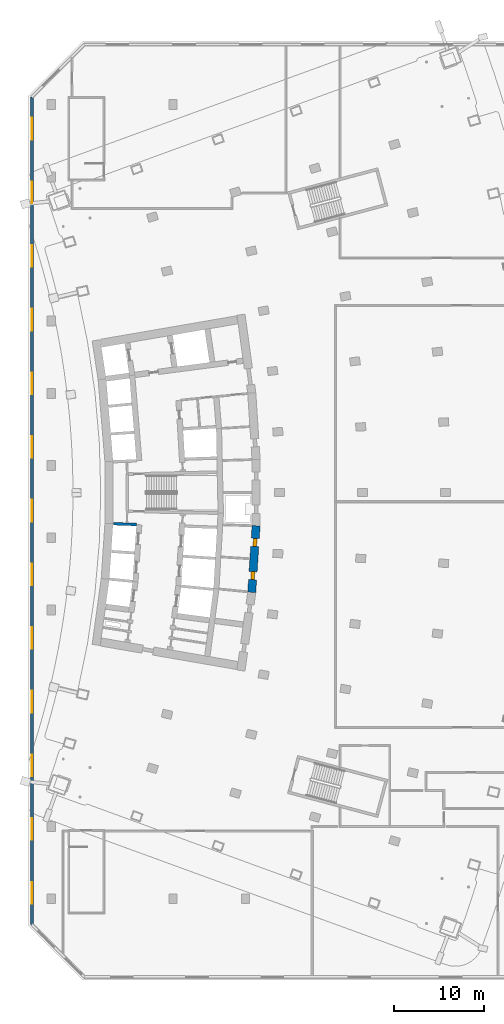
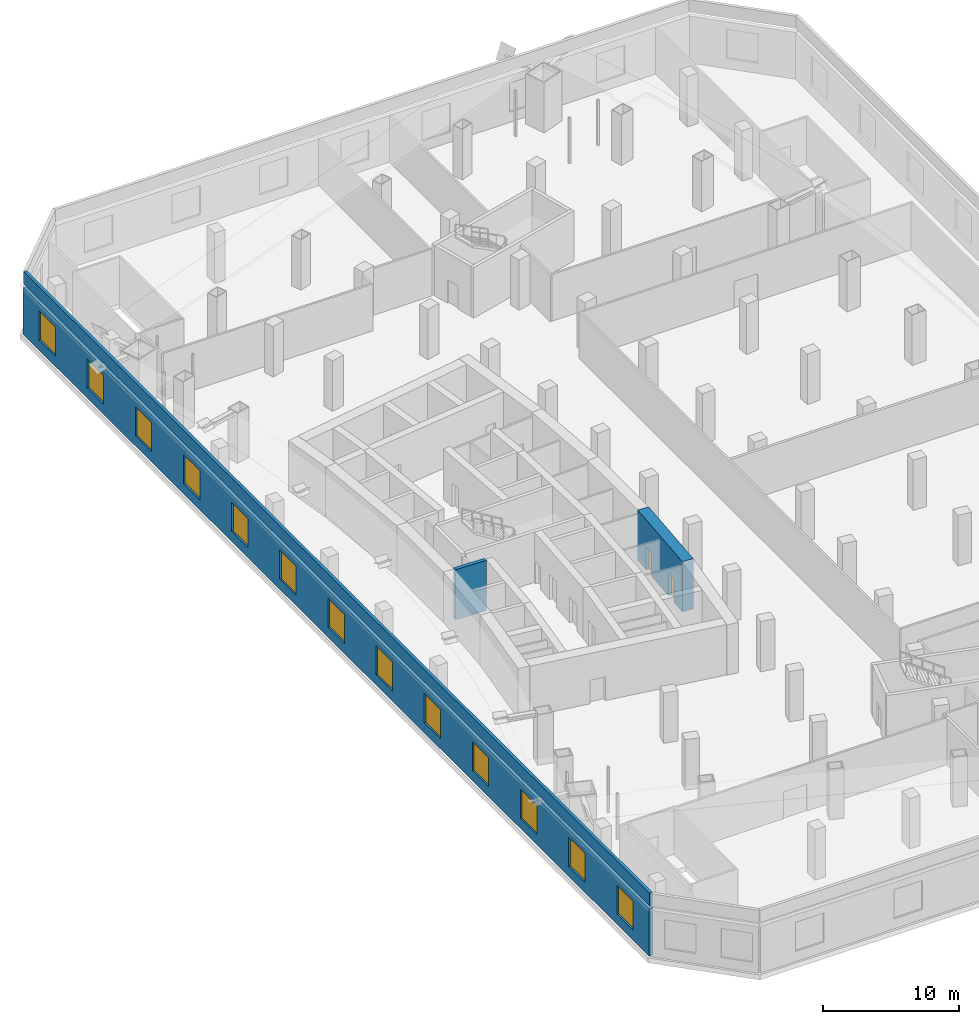
# One storey, part 14 of 19: 13 windows, 4 walls, 2 doors, 15 openings.
"""IFC4 building model written with IfcOpenShell, lengths in metres."""

from ifc_helpers import new_model, si_unit, direction, frame, frame_2d, origin, place, context, subcontext, project, spatial, rectangle, extrude, material, layer, layer_set, type_object, element, fill, save


model = new_model("IFC4")

# Units and contexts
model_context = context("Model", 3, precision=1e-05, world=origin(), true_north=direction((0.0, 1.0)))
body_context = subcontext(model_context, "Body", "Model", "MODEL_VIEW")
ifc_project = project(units=[si_unit("LENGTHUNIT", "METRE"), si_unit("AREAUNIT", "SQUARE_METRE"), si_unit("VOLUMEUNIT", "CUBIC_METRE"), si_unit("PLANEANGLEUNIT", "RADIAN"), si_unit("MASSUNIT", "GRAM", prefix="KILO")], contexts=[model_context])

# Site, building, storey
site_placement = place(None, origin())
site = spatial("IfcSite", under=ifc_project, at=site_placement, CompositionType="ELEMENT")
building_placement = place(site_placement, origin())
building = spatial("IfcBuilding", under=site, at=building_placement, Name="Alderwake Tower", CompositionType="ELEMENT")
storey_placement = place(building_placement, frame((0.0, 0.0, 27.5)))
storey = spatial("IfcBuildingStorey", under=building, at=storey_placement, Name="L05", CompositionType="ELEMENT", Elevation=27.5)

# Wall, openings, doors
ifc_material_1 = material(Name="Concrete C70/85", Category="concrete")
ifc_layer_1 = layer(ifc_material_1, 0.89990234375)
ifc_layer_set_1 = layer_set([ifc_layer_1], Name="Core wall outer 900 C70-85")
wall_type_1 = type_object("IfcWallType", Name="Core wall outer 900 C70-85", PredefinedType="SHEAR", material=ifc_layer_set_1)
wall_1_placement = place(storey_placement, frame((33.191162109375, 57.33349609375, 0.0), z_axis=(0.0, 0.0, 1.0), x_axis=(-0.064976219143, -0.997886812693, 0.0)))
wall_1 = element("IfcWall", 1, at=wall_1_placement, inside=storey, type_object=wall_type_1, Name="Core wall CW.011", PredefinedType="SHEAR", context=body_context, shape_type="SweptSolid", body=[
    extrude(rectangle(XDim=7.39453125, YDim=0.89990234375, at=frame_2d((3.697265625, 0.0))), origin(), (0.0, 0.0, 1.0), 4.5),
])
opening_1_placement = place(wall_1_placement, frame((5.087646484375, 0.0, 0.0)))
opening_1 = element("IfcOpeningElement", 2, at=opening_1_placement, cuts=wall_1, Name="Opening C027", PredefinedType="OPENING", context=body_context, shape_type="SweptSolid", body=[
    extrude(rectangle(XDim=0.89990234375, YDim=2.10009765625, at=frame_2d((0.449951171875, 1.050048828125))), frame((0.0, 0.4599609375, 0.0), z_axis=(0.0, -1.0, 0.0), x_axis=(1.0, 0.0, 0.0)), (0.0, 0.0, 1.0), 0.919921875),
])
opening_2_placement = place(wall_1_placement, frame((1.405517578125, 0.0, 0.0)))
opening_2 = element("IfcOpeningElement", 3, at=opening_2_placement, cuts=wall_1, Name="Opening C029", PredefinedType="OPENING", context=body_context, shape_type="SweptSolid", body=[
    extrude(rectangle(XDim=0.89990234375, YDim=2.10009765625, at=frame_2d((0.449951171875, 1.050048828125))), frame((0.0, 0.4599609375, 0.0), z_axis=(0.0, -1.0, 0.0), x_axis=(1.0, 0.0, 0.0)), (0.0, 0.0, 1.0), 0.919921875),
])
ifc_material_2 = material(Name="Painted steel leaf", Category="steel")
door_type = type_object("IfcDoorType", Name="Core room door 900", OperationType="SINGLE_SWING_LEFT", PredefinedType="DOOR", material=ifc_material_2)
door_1_placement = place(opening_1_placement, origin())
door_1 = element("IfcDoor", 4, at=door_1_placement, inside=storey, type_object=door_type, Name="Room door", OperationType="SINGLE_SWING_RIGHT", OverallHeight=2.10009765625, OverallWidth=0.89990234375, PredefinedType="DOOR", context=body_context, shape_type="SweptSolid", body=[
    extrude(rectangle(XDim=0.89990234375, YDim=2.10009765625, at=frame_2d((0.449951171875, 1.050048828125))), frame((0.0, 0.199951171875, 0.0), z_axis=(0.0, -1.0, 0.0), x_axis=(1.0, 0.0, 0.0)), (0.0, 0.0, 1.0), 0.39990234375),
])
fill(opening_1, door_1)
door_2_placement = place(opening_2_placement, origin())
door_2 = element("IfcDoor", 5, at=door_2_placement, inside=storey, type_object=door_type, Name="Room door", OperationType="SINGLE_SWING_LEFT", OverallHeight=2.10009765625, OverallWidth=0.89990234375, PredefinedType="DOOR", context=body_context, shape_type="SweptSolid", body=[
    extrude(rectangle(XDim=0.89990234375, YDim=2.10009765625, at=frame_2d((0.449951171875, 1.050048828125))), frame((0.0, 0.199951171875, 0.0), z_axis=(0.0, -1.0, 0.0), x_axis=(1.0, 0.0, 0.0)), (0.0, 0.0, 1.0), 0.39990234375),
])
fill(opening_2, door_2)

# Wall
ifc_material_3 = material(Name="Concrete C70/85", Category="concrete")
ifc_layer_2 = layer(ifc_material_3, 0.300048828125)
ifc_layer_set_2 = layer_set([ifc_layer_2], Name="Core wall shaft 300 C70-85")
wall_type_2 = type_object("IfcWallType", Name="Core wall shaft 300 C70-85", PredefinedType="SHEAR", material=ifc_layer_set_2)
wall_2_placement = place(storey_placement, frame((17.369140625, 57.553466796875, 0.0), z_axis=(0.0, 0.0, 1.0), x_axis=(0.99937189907, -0.035437372217, 0.0)))
element("IfcWall", 6, at=wall_2_placement, inside=storey, type_object=wall_type_2, Name="Core wall CW.076", PredefinedType="SHEAR", context=body_context, shape_type="SweptSolid", body=[
    extrude(rectangle(XDim=2.56982421875, YDim=0.300048828125, at=frame_2d((1.284912109375, 0.0))), origin(), (0.0, 0.0, 1.0), 4.5),
])

# Wall, openings, windows
ifc_material_4 = material(Name="Precast concrete C50/60 spandrel panel", Category="concrete")
ifc_layer_3 = layer(ifc_material_4, 0.35009765625)
ifc_layer_set_3 = layer_set([ifc_layer_3], Name="External wall EW4 Precast concrete C50/60 podium")
wall_type_3 = type_object("IfcWallType", Name="External wall EW4 Precast concrete C50/60 podium", PredefinedType="SOLIDWALL", material=ifc_layer_set_3)
wall_3_placement = place(storey_placement, frame((8.35009765625, 104.85498046875, 0.0), z_axis=(0.0, 0.0, 1.0), x_axis=(0.0, -1.0, 0.0)))
wall_3 = element("IfcWall", 7, at=wall_3_placement, inside=storey, type_object=wall_type_3, Name="External wall 7", PredefinedType="SOLIDWALL", context=body_context, shape_type="SweptSolid", body=[
    extrude(rectangle(XDim=91.72509765625, YDim=0.35009765625, at=frame_2d((45.862548828125, 0.0))), origin(), (0.0, 0.0, 1.0), 4.179931640625),
])
opening_3_placement = place(wall_3_placement, frame((2.327880859375, 0.0, 0.89990234375)))
opening_3 = element("IfcOpeningElement", 8, at=opening_3_placement, cuts=wall_3, Name="Opening W6", PredefinedType="OPENING", context=body_context, shape_type="SweptSolid", body=[
    extrude(rectangle(XDim=2.39990234375, YDim=2.60009765625, at=frame_2d((1.199951171875, 1.300048828125))), frame((0.0, 0.18505859375, 0.0), z_axis=(0.0, -1.0, 0.0), x_axis=(1.0, 0.0, 0.0)), (0.0, 0.0, 1.0), 0.3701171875),
])
opening_4_placement = place(wall_3_placement, frame((9.3837890625, 0.0, 0.89990234375)))
opening_4 = element("IfcOpeningElement", 9, at=opening_4_placement, cuts=wall_3, Name="Opening W6", PredefinedType="OPENING", context=body_context, shape_type="SweptSolid", body=[
    extrude(rectangle(XDim=2.39990234375, YDim=2.60009765625, at=frame_2d((1.199951171875, 1.300048828125))), frame((0.0, 0.18505859375, 0.0), z_axis=(0.0, -1.0, 0.0), x_axis=(1.0, 0.0, 0.0)), (0.0, 0.0, 1.0), 0.3701171875),
])
opening_5_placement = place(wall_3_placement, frame((16.439453125, 0.0, 0.89990234375)))
opening_5 = element("IfcOpeningElement", 10, at=opening_5_placement, cuts=wall_3, Name="Opening W6", PredefinedType="OPENING", context=body_context, shape_type="SweptSolid", body=[
    extrude(rectangle(XDim=2.39990234375, YDim=2.60009765625, at=frame_2d((1.199951171875, 1.300048828125))), frame((0.0, 0.18505859375, 0.0), z_axis=(0.0, -1.0, 0.0), x_axis=(1.0, 0.0, 0.0)), (0.0, 0.0, 1.0), 0.3701171875),
])
opening_6_placement = place(wall_3_placement, frame((23.4951171875, 0.0, 0.89990234375)))
opening_6 = element("IfcOpeningElement", 11, at=opening_6_placement, cuts=wall_3, Name="Opening W6", PredefinedType="OPENING", context=body_context, shape_type="SweptSolid", body=[
    extrude(rectangle(XDim=2.39990234375, YDim=2.60009765625, at=frame_2d((1.199951171875, 1.300048828125))), frame((0.0, 0.18505859375, 0.0), z_axis=(0.0, -1.0, 0.0), x_axis=(1.0, 0.0, 0.0)), (0.0, 0.0, 1.0), 0.3701171875),
])
opening_7_placement = place(wall_3_placement, frame((30.551025390625, 0.0, 0.89990234375)))
opening_7 = element("IfcOpeningElement", 12, at=opening_7_placement, cuts=wall_3, Name="Opening W6", PredefinedType="OPENING", context=body_context, shape_type="SweptSolid", body=[
    extrude(rectangle(XDim=2.39990234375, YDim=2.60009765625, at=frame_2d((1.199951171875, 1.300048828125))), frame((0.0, 0.18505859375, 0.0), z_axis=(0.0, -1.0, 0.0), x_axis=(1.0, 0.0, 0.0)), (0.0, 0.0, 1.0), 0.3701171875),
])
opening_8_placement = place(wall_3_placement, frame((37.606689453125, 0.0, 0.89990234375)))
opening_8 = element("IfcOpeningElement", 13, at=opening_8_placement, cuts=wall_3, Name="Opening W6", PredefinedType="OPENING", context=body_context, shape_type="SweptSolid", body=[
    extrude(rectangle(XDim=2.39990234375, YDim=2.60009765625, at=frame_2d((1.199951171875, 1.300048828125))), frame((0.0, 0.18505859375, 0.0), z_axis=(0.0, -1.0, 0.0), x_axis=(1.0, 0.0, 0.0)), (0.0, 0.0, 1.0), 0.3701171875),
])
opening_9_placement = place(wall_3_placement, frame((44.66259765625, 0.0, 0.89990234375)))
opening_9 = element("IfcOpeningElement", 14, at=opening_9_placement, cuts=wall_3, Name="Opening W6", PredefinedType="OPENING", context=body_context, shape_type="SweptSolid", body=[
    extrude(rectangle(XDim=2.39990234375, YDim=2.60009765625, at=frame_2d((1.199951171875, 1.300048828125))), frame((0.0, 0.18505859375, 0.0), z_axis=(0.0, -1.0, 0.0), x_axis=(1.0, 0.0, 0.0)), (0.0, 0.0, 1.0), 0.3701171875),
])
opening_10_placement = place(wall_3_placement, frame((51.71826171875, 0.0, 0.89990234375)))
opening_10 = element("IfcOpeningElement", 15, at=opening_10_placement, cuts=wall_3, Name="Opening W6", PredefinedType="OPENING", context=body_context, shape_type="SweptSolid", body=[
    extrude(rectangle(XDim=2.39990234375, YDim=2.60009765625, at=frame_2d((1.199951171875, 1.300048828125))), frame((0.0, 0.18505859375, 0.0), z_axis=(0.0, -1.0, 0.0), x_axis=(1.0, 0.0, 0.0)), (0.0, 0.0, 1.0), 0.3701171875),
])
opening_11_placement = place(wall_3_placement, frame((58.774169921875, 0.0, 0.89990234375)))
opening_11 = element("IfcOpeningElement", 16, at=opening_11_placement, cuts=wall_3, Name="Opening W6", PredefinedType="OPENING", context=body_context, shape_type="SweptSolid", body=[
    extrude(rectangle(XDim=2.39990234375, YDim=2.60009765625, at=frame_2d((1.199951171875, 1.300048828125))), frame((0.0, 0.18505859375, 0.0), z_axis=(0.0, -1.0, 0.0), x_axis=(1.0, 0.0, 0.0)), (0.0, 0.0, 1.0), 0.3701171875),
])
opening_12_placement = place(wall_3_placement, frame((65.829833984375, 0.0, 0.89990234375)))
opening_12 = element("IfcOpeningElement", 17, at=opening_12_placement, cuts=wall_3, Name="Opening W6", PredefinedType="OPENING", context=body_context, shape_type="SweptSolid", body=[
    extrude(rectangle(XDim=2.39990234375, YDim=2.60009765625, at=frame_2d((1.199951171875, 1.300048828125))), frame((0.0, 0.18505859375, 0.0), z_axis=(0.0, -1.0, 0.0), x_axis=(1.0, 0.0, 0.0)), (0.0, 0.0, 1.0), 0.3701171875),
])
opening_13_placement = place(wall_3_placement, frame((72.885498046875, 0.0, 0.89990234375)))
opening_13 = element("IfcOpeningElement", 18, at=opening_13_placement, cuts=wall_3, Name="Opening W6", PredefinedType="OPENING", context=body_context, shape_type="SweptSolid", body=[
    extrude(rectangle(XDim=2.39990234375, YDim=2.60009765625, at=frame_2d((1.199951171875, 1.300048828125))), frame((0.0, 0.18505859375, 0.0), z_axis=(0.0, -1.0, 0.0), x_axis=(1.0, 0.0, 0.0)), (0.0, 0.0, 1.0), 0.3701171875),
])
opening_14_placement = place(wall_3_placement, frame((79.94140625, 0.0, 0.89990234375)))
opening_14 = element("IfcOpeningElement", 19, at=opening_14_placement, cuts=wall_3, Name="Opening W6", PredefinedType="OPENING", context=body_context, shape_type="SweptSolid", body=[
    extrude(rectangle(XDim=2.39990234375, YDim=2.60009765625, at=frame_2d((1.199951171875, 1.300048828125))), frame((0.0, 0.18505859375, 0.0), z_axis=(0.0, -1.0, 0.0), x_axis=(1.0, 0.0, 0.0)), (0.0, 0.0, 1.0), 0.3701171875),
])
opening_15_placement = place(wall_3_placement, frame((86.997314453125, 0.0, 0.89990234375)))
opening_15 = element("IfcOpeningElement", 20, at=opening_15_placement, cuts=wall_3, Name="Opening W6", PredefinedType="OPENING", context=body_context, shape_type="SweptSolid", body=[
    extrude(rectangle(XDim=2.39990234375, YDim=2.60009765625, at=frame_2d((1.199951171875, 1.300048828125))), frame((0.0, 0.18505859375, 0.0), z_axis=(0.0, -1.0, 0.0), x_axis=(1.0, 0.0, 0.0)), (0.0, 0.0, 1.0), 0.3701171875),
])
ifc_material_5 = material(Name="Bronze tinted glass in aluminium frame", Category="aluminium")
window_type = type_object("IfcWindowType", Name="Window W6 podium", PartitioningType="DOUBLE_PANEL_VERTICAL", PredefinedType="WINDOW", material=ifc_material_5)
window_1_placement = place(opening_3_placement, origin())
window_1 = element("IfcWindow", 21, at=window_1_placement, inside=storey, type_object=window_type, Name="Window W6 podium", OverallHeight=2.60009765625, OverallWidth=2.39990234375, PartitioningType="DOUBLE_PANEL_VERTICAL", PredefinedType="WINDOW", context=body_context, shape_type="SweptSolid", body=[
    extrude(rectangle(XDim=2.39990234375, YDim=2.60009765625, at=frame_2d((1.199951171875, 1.300048828125))), frame((0.0, 0.030029296875, 0.0), z_axis=(0.0, -1.0, 0.0), x_axis=(1.0, 0.0, 0.0)), (0.0, 0.0, 1.0), 0.06005859375),
])
fill(opening_3, window_1)
window_2_placement = place(opening_4_placement, origin())
window_2 = element("IfcWindow", 22, at=window_2_placement, inside=storey, type_object=window_type, Name="Window W6 podium", OverallHeight=2.60009765625, OverallWidth=2.39990234375, PartitioningType="DOUBLE_PANEL_VERTICAL", PredefinedType="WINDOW", context=body_context, shape_type="SweptSolid", body=[
    extrude(rectangle(XDim=2.39990234375, YDim=2.60009765625, at=frame_2d((1.199951171875, 1.300048828125))), frame((0.0, 0.030029296875, 0.0), z_axis=(0.0, -1.0, 0.0), x_axis=(1.0, 0.0, 0.0)), (0.0, 0.0, 1.0), 0.06005859375),
])
fill(opening_4, window_2)
window_3_placement = place(opening_5_placement, origin())
window_3 = element("IfcWindow", 23, at=window_3_placement, inside=storey, type_object=window_type, Name="Window W6 podium", OverallHeight=2.60009765625, OverallWidth=2.39990234375, PartitioningType="DOUBLE_PANEL_VERTICAL", PredefinedType="WINDOW", context=body_context, shape_type="SweptSolid", body=[
    extrude(rectangle(XDim=2.39990234375, YDim=2.60009765625, at=frame_2d((1.199951171875, 1.300048828125))), frame((0.0, 0.030029296875, 0.0), z_axis=(0.0, -1.0, 0.0), x_axis=(1.0, 0.0, 0.0)), (0.0, 0.0, 1.0), 0.06005859375),
])
fill(opening_5, window_3)
window_4_placement = place(opening_6_placement, origin())
window_4 = element("IfcWindow", 24, at=window_4_placement, inside=storey, type_object=window_type, Name="Window W6 podium", OverallHeight=2.60009765625, OverallWidth=2.39990234375, PartitioningType="DOUBLE_PANEL_VERTICAL", PredefinedType="WINDOW", context=body_context, shape_type="SweptSolid", body=[
    extrude(rectangle(XDim=2.39990234375, YDim=2.60009765625, at=frame_2d((1.199951171875, 1.300048828125))), frame((0.0, 0.030029296875, 0.0), z_axis=(0.0, -1.0, 0.0), x_axis=(1.0, 0.0, 0.0)), (0.0, 0.0, 1.0), 0.06005859375),
])
fill(opening_6, window_4)
window_5_placement = place(opening_7_placement, origin())
window_5 = element("IfcWindow", 25, at=window_5_placement, inside=storey, type_object=window_type, Name="Window W6 podium", OverallHeight=2.60009765625, OverallWidth=2.39990234375, PartitioningType="DOUBLE_PANEL_VERTICAL", PredefinedType="WINDOW", context=body_context, shape_type="SweptSolid", body=[
    extrude(rectangle(XDim=2.39990234375, YDim=2.60009765625, at=frame_2d((1.199951171875, 1.300048828125))), frame((0.0, 0.030029296875, 0.0), z_axis=(0.0, -1.0, 0.0), x_axis=(1.0, 0.0, 0.0)), (0.0, 0.0, 1.0), 0.06005859375),
])
fill(opening_7, window_5)
window_6_placement = place(opening_8_placement, origin())
window_6 = element("IfcWindow", 26, at=window_6_placement, inside=storey, type_object=window_type, Name="Window W6 podium", OverallHeight=2.60009765625, OverallWidth=2.39990234375, PartitioningType="DOUBLE_PANEL_VERTICAL", PredefinedType="WINDOW", context=body_context, shape_type="SweptSolid", body=[
    extrude(rectangle(XDim=2.39990234375, YDim=2.60009765625, at=frame_2d((1.199951171875, 1.300048828125))), frame((0.0, 0.030029296875, 0.0), z_axis=(0.0, -1.0, 0.0), x_axis=(1.0, 0.0, 0.0)), (0.0, 0.0, 1.0), 0.06005859375),
])
fill(opening_8, window_6)
window_7_placement = place(opening_9_placement, origin())
window_7 = element("IfcWindow", 27, at=window_7_placement, inside=storey, type_object=window_type, Name="Window W6 podium", OverallHeight=2.60009765625, OverallWidth=2.39990234375, PartitioningType="DOUBLE_PANEL_VERTICAL", PredefinedType="WINDOW", context=body_context, shape_type="SweptSolid", body=[
    extrude(rectangle(XDim=2.39990234375, YDim=2.60009765625, at=frame_2d((1.199951171875, 1.300048828125))), frame((0.0, 0.030029296875, 0.0), z_axis=(0.0, -1.0, 0.0), x_axis=(1.0, 0.0, 0.0)), (0.0, 0.0, 1.0), 0.06005859375),
])
fill(opening_9, window_7)
window_8_placement = place(opening_10_placement, origin())
window_8 = element("IfcWindow", 28, at=window_8_placement, inside=storey, type_object=window_type, Name="Window W6 podium", OverallHeight=2.60009765625, OverallWidth=2.39990234375, PartitioningType="DOUBLE_PANEL_VERTICAL", PredefinedType="WINDOW", context=body_context, shape_type="SweptSolid", body=[
    extrude(rectangle(XDim=2.39990234375, YDim=2.60009765625, at=frame_2d((1.199951171875, 1.300048828125))), frame((0.0, 0.030029296875, 0.0), z_axis=(0.0, -1.0, 0.0), x_axis=(1.0, 0.0, 0.0)), (0.0, 0.0, 1.0), 0.06005859375),
])
fill(opening_10, window_8)
window_9_placement = place(opening_11_placement, origin())
window_9 = element("IfcWindow", 29, at=window_9_placement, inside=storey, type_object=window_type, Name="Window W6 podium", OverallHeight=2.60009765625, OverallWidth=2.39990234375, PartitioningType="DOUBLE_PANEL_VERTICAL", PredefinedType="WINDOW", context=body_context, shape_type="SweptSolid", body=[
    extrude(rectangle(XDim=2.39990234375, YDim=2.60009765625, at=frame_2d((1.199951171875, 1.300048828125))), frame((0.0, 0.030029296875, 0.0), z_axis=(0.0, -1.0, 0.0), x_axis=(1.0, 0.0, 0.0)), (0.0, 0.0, 1.0), 0.06005859375),
])
fill(opening_11, window_9)
window_10_placement = place(opening_12_placement, origin())
window_10 = element("IfcWindow", 30, at=window_10_placement, inside=storey, type_object=window_type, Name="Window W6 podium", OverallHeight=2.60009765625, OverallWidth=2.39990234375, PartitioningType="DOUBLE_PANEL_VERTICAL", PredefinedType="WINDOW", context=body_context, shape_type="SweptSolid", body=[
    extrude(rectangle(XDim=2.39990234375, YDim=2.60009765625, at=frame_2d((1.199951171875, 1.300048828125))), frame((0.0, 0.030029296875, 0.0), z_axis=(0.0, -1.0, 0.0), x_axis=(1.0, 0.0, 0.0)), (0.0, 0.0, 1.0), 0.06005859375),
])
fill(opening_12, window_10)
window_11_placement = place(opening_13_placement, origin())
window_11 = element("IfcWindow", 31, at=window_11_placement, inside=storey, type_object=window_type, Name="Window W6 podium", OverallHeight=2.60009765625, OverallWidth=2.39990234375, PartitioningType="DOUBLE_PANEL_VERTICAL", PredefinedType="WINDOW", context=body_context, shape_type="SweptSolid", body=[
    extrude(rectangle(XDim=2.39990234375, YDim=2.60009765625, at=frame_2d((1.199951171875, 1.300048828125))), frame((0.0, 0.030029296875, 0.0), z_axis=(0.0, -1.0, 0.0), x_axis=(1.0, 0.0, 0.0)), (0.0, 0.0, 1.0), 0.06005859375),
])
fill(opening_13, window_11)
window_12_placement = place(opening_14_placement, origin())
window_12 = element("IfcWindow", 32, at=window_12_placement, inside=storey, type_object=window_type, Name="Window W6 podium", OverallHeight=2.60009765625, OverallWidth=2.39990234375, PartitioningType="DOUBLE_PANEL_VERTICAL", PredefinedType="WINDOW", context=body_context, shape_type="SweptSolid", body=[
    extrude(rectangle(XDim=2.39990234375, YDim=2.60009765625, at=frame_2d((1.199951171875, 1.300048828125))), frame((0.0, 0.030029296875, 0.0), z_axis=(0.0, -1.0, 0.0), x_axis=(1.0, 0.0, 0.0)), (0.0, 0.0, 1.0), 0.06005859375),
])
fill(opening_14, window_12)
window_13_placement = place(opening_15_placement, origin())
window_13 = element("IfcWindow", 33, at=window_13_placement, inside=storey, type_object=window_type, Name="Window W6 podium", OverallHeight=2.60009765625, OverallWidth=2.39990234375, PartitioningType="DOUBLE_PANEL_VERTICAL", PredefinedType="WINDOW", context=body_context, shape_type="SweptSolid", body=[
    extrude(rectangle(XDim=2.39990234375, YDim=2.60009765625, at=frame_2d((1.199951171875, 1.300048828125))), frame((0.0, 0.030029296875, 0.0), z_axis=(0.0, -1.0, 0.0), x_axis=(1.0, 0.0, 0.0)), (0.0, 0.0, 1.0), 0.06005859375),
])
fill(opening_15, window_13)

# Wall
ifc_material_6 = material(Name="Precast concrete C50/60 spandrel panel", Category="concrete")
ifc_layer_4 = layer(ifc_material_6, 0.25)
ifc_layer_set_4 = layer_set([ifc_layer_4], Name="Roof parapet PA1 Precast concrete C50/60")
wall_type_4 = type_object("IfcWallType", Name="Roof parapet PA1 Precast concrete C50/60", PredefinedType="PARAPET", material=ifc_layer_set_4)
wall_4_placement = place(storey_placement, frame((8.35009765625, 104.85498046875, 4.5), z_axis=(0.0, 0.0, 1.0), x_axis=(0.0, -1.0, 0.0)))
element("IfcWall", 34, at=wall_4_placement, inside=storey, type_object=wall_type_4, Name="External wall 15", PredefinedType="PARAPET", context=body_context, shape_type="SweptSolid", body=[
    extrude(rectangle(XDim=91.72509765625, YDim=0.25, at=frame_2d((45.862548828125, 0.0))), origin(), (0.0, 0.0, 1.0), 1.10009765625),
])

save(model, "model.ifc")
